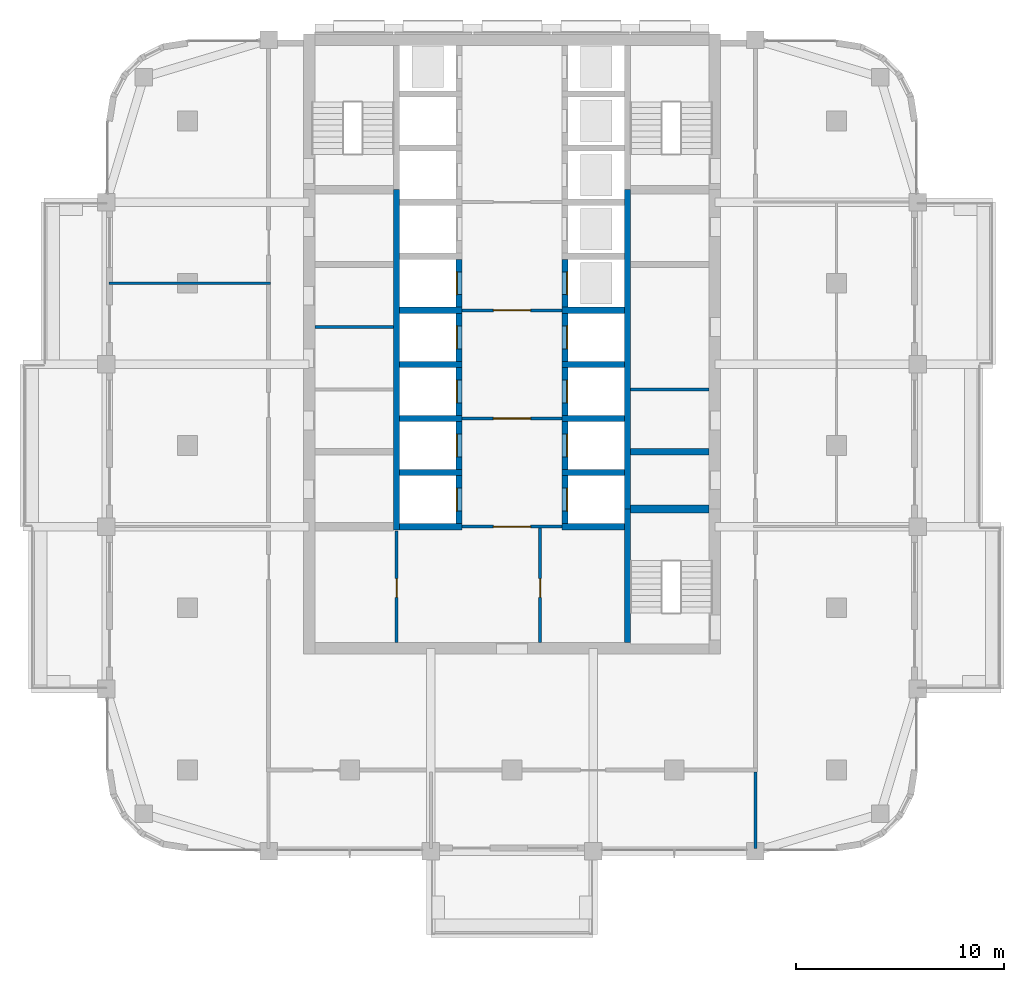
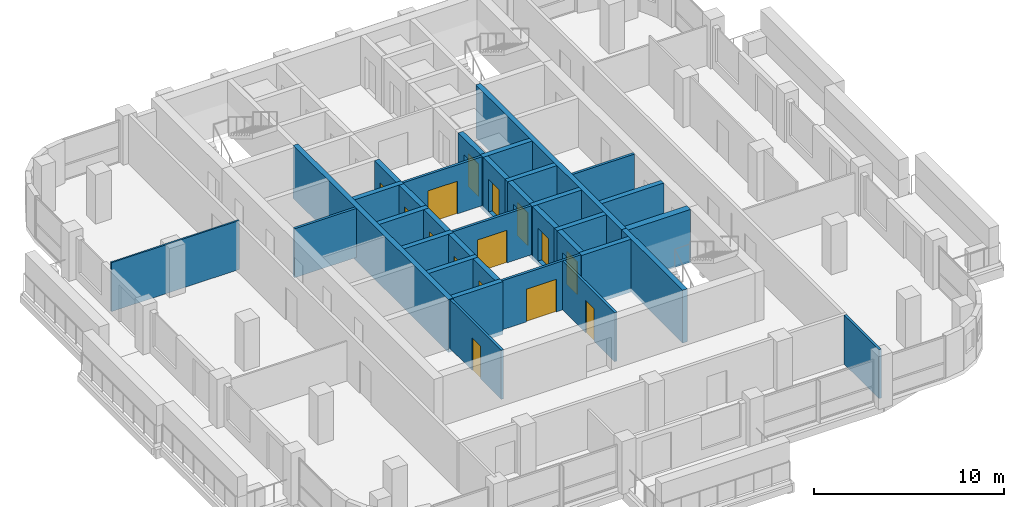
# One storey, part 11 of 19: 34 walls, 15 doors, 15 openings.
"""IFC4 building model written with IfcOpenShell, lengths in metres."""

from ifc_helpers import new_model, si_unit, direction, frame, frame_2d, origin, place, context, subcontext, project, spatial, rectangle, extrude, material, layer, layer_set, type_object, element, fill, save


model = new_model("IFC4")

# Units and contexts
model_context = context("Model", 3, precision=1e-05, world=origin(), true_north=direction((0.0, 1.0)))
body_context = subcontext(model_context, "Body", "Model", "MODEL_VIEW")
ifc_project = project(units=[si_unit("LENGTHUNIT", "METRE"), si_unit("AREAUNIT", "SQUARE_METRE"), si_unit("VOLUMEUNIT", "CUBIC_METRE"), si_unit("PLANEANGLEUNIT", "RADIAN"), si_unit("MASSUNIT", "GRAM", prefix="KILO")], contexts=[model_context])

# Site, building, storey
site_placement = place(None, origin())
site = spatial("IfcSite", under=ifc_project, at=site_placement, CompositionType="ELEMENT")
building_placement = place(site_placement, origin())
building = spatial("IfcBuilding", under=site, at=building_placement, Name="Ludao Terraces", CompositionType="ELEMENT")
storey_placement = place(building_placement, frame((0.0, 0.0, 133.89990234375)))
storey = spatial("IfcBuildingStorey", under=building, at=storey_placement, Name="L36", CompositionType="ELEMENT", Elevation=133.89990234375)

# Wall, opening, door
ifc_material_1 = material(Name="Fire-rated gypsum plasterboard", Category="gypsum")
ifc_layer_1 = layer(ifc_material_1, 0.012451171875, Category="gypsum")
ifc_material_2 = material(Name="Mineral wool")
ifc_layer_2 = layer(ifc_material_2, 0.10009765625, Name="insulation")
ifc_material_3 = material(Name="Steel Q235", Category="steel")
ifc_layer_3 = layer(ifc_material_3, 0.02490234375, Name="stud")
ifc_layer_4 = layer(ifc_material_1, 0.012451171875, Category="gypsum")
ifc_layer_set_1 = layer_set([ifc_layer_1, ifc_layer_2, ifc_layer_3, ifc_layer_4], Name="INT Core partition 150")
wall_type_1 = type_object("IfcWallType", Name="INT Core partition 150", PredefinedType="PARTITIONING", material=ifc_layer_set_1)
wall_1_placement = place(storey_placement, frame((82.60009765625, 61.10009765625, 0.0), z_axis=(0.0, 0.0, 1.0), x_axis=(1.0, 0.0, 0.0)))
wall_1 = element("IfcWall", 1, at=wall_1_placement, inside=storey, type_object=wall_type_1, Name="PW-L36-PW002", PredefinedType="PARTITIONING", context=body_context, shape_type="SweptSolid", body=[
    extrude(rectangle(XDim=4.800048828125, YDim=0.14990234375, at=frame_2d((2.39990234375, 0.0))), origin(), (0.0, 0.0, 1.0), 3.150146484375),
])
opening_1_placement = place(wall_1_placement, frame((1.5, 0.0, 0.0)))
opening_1 = element("IfcOpeningElement", 2, at=opening_1_placement, cuts=wall_1, Name="Opening C2-009", PredefinedType="OPENING", context=body_context, shape_type="SweptSolid", body=[
    extrude(rectangle(XDim=1.800048828125, YDim=2.10009765625, at=frame_2d((0.89990234375, 1.050048828125))), frame((0.0, 0.0849609375, 0.0), z_axis=(0.0, -1.0, 0.0), x_axis=(1.0, 0.0, 0.0)), (0.0, 0.0, 1.0), 0.169921875),
])
door_type_1 = type_object("IfcDoorType", Name="INT Fire lobby door 1800", OperationType="DOUBLE_DOOR_SINGLE_SWING", PredefinedType="DOOR", material=ifc_material_3)
door_1_placement = place(opening_1_placement, origin())
door_1 = element("IfcDoor", 3, at=door_1_placement, inside=storey, type_object=door_type_1, Name="DOOR 009", OperationType="DOUBLE_DOOR_SINGLE_SWING", OverallHeight=2.10009765625, OverallWidth=1.800048828125, PredefinedType="DOOR", context=body_context, shape_type="SweptSolid", body=[
    extrude(rectangle(XDim=1.800048828125, YDim=2.10009765625, at=frame_2d((0.89990234375, 1.050048828125))), frame((0.0, 0.02490234375, 0.0), z_axis=(0.0, -1.0, 0.0), x_axis=(1.0, 0.0, 0.0)), (0.0, 0.0, 1.0), 0.050048828125),
])
fill(opening_1, door_1)

wall_2_placement = place(storey_placement, frame((82.60009765625, 66.300048828125, 0.0), z_axis=(0.0, 0.0, 1.0), x_axis=(1.0, 0.0, 0.0)))
wall_2 = element("IfcWall", 4, at=wall_2_placement, inside=storey, type_object=wall_type_1, Name="PW-L36-PW004", PredefinedType="PARTITIONING", context=body_context, shape_type="SweptSolid", body=[
    extrude(rectangle(XDim=4.800048828125, YDim=0.14990234375, at=frame_2d((2.39990234375, 0.0))), origin(), (0.0, 0.0, 1.0), 3.150146484375),
])
opening_2_placement = place(wall_2_placement, frame((1.5, 0.0, 0.0)))
opening_2 = element("IfcOpeningElement", 5, at=opening_2_placement, cuts=wall_2, Name="Opening C2-019", PredefinedType="OPENING", context=body_context, shape_type="SweptSolid", body=[
    extrude(rectangle(XDim=1.800048828125, YDim=2.10009765625, at=frame_2d((0.89990234375, 1.050048828125))), frame((0.0, 0.0849609375, 0.0), z_axis=(0.0, -1.0, 0.0), x_axis=(1.0, 0.0, 0.0)), (0.0, 0.0, 1.0), 0.169921875),
])
door_2_placement = place(opening_2_placement, origin())
door_2 = element("IfcDoor", 6, at=door_2_placement, inside=storey, type_object=door_type_1, Name="DOOR 019", OperationType="DOUBLE_DOOR_SINGLE_SWING", OverallHeight=2.10009765625, OverallWidth=1.800048828125, PredefinedType="DOOR", context=body_context, shape_type="SweptSolid", body=[
    extrude(rectangle(XDim=1.800048828125, YDim=2.10009765625, at=frame_2d((0.89990234375, 1.050048828125))), frame((0.0, 0.02490234375, 0.0), z_axis=(0.0, -1.0, 0.0), x_axis=(1.0, 0.0, 0.0)), (0.0, 0.0, 1.0), 0.050048828125),
])
fill(opening_2, door_2)

# Walls
for number, where, z_axis, x_axis, name in (
    (7, (90.7001953125, 67.699951171875, 0.0), (0.0, 0.0, 1.0), (1.0, 0.0, 0.0), "PW-L36-PW006"),
    (8, (75.525146484375, 70.699951171875, 0.0), (0.0, 0.0, 1.0), (1.0, 0.0, 0.0), "PW-L36-PW007"),
):
    element("IfcWall", number, at=place(storey_placement, frame(where, z_axis=z_axis, x_axis=x_axis)), inside=storey, type_object=wall_type_1, Name=name, PredefinedType="PARTITIONING", context=body_context, shape_type="SweptSolid", body=[
        extrude(rectangle(XDim=3.77490234375, YDim=0.14990234375, at=frame_2d((1.887451171875, 0.0))), origin(), (0.0, 0.0, 1.0), 3.150146484375),
    ])

# Wall, opening, door
wall_3_placement = place(storey_placement, frame((82.60009765625, 71.5, 0.0), z_axis=(0.0, 0.0, 1.0), x_axis=(1.0, 0.0, 0.0)))
wall_3 = element("IfcWall", 9, at=wall_3_placement, inside=storey, type_object=wall_type_1, Name="PW-L36-PW008", PredefinedType="PARTITIONING", context=body_context, shape_type="SweptSolid", body=[
    extrude(rectangle(XDim=4.800048828125, YDim=0.14990234375, at=frame_2d((2.39990234375, 0.0))), origin(), (0.0, 0.0, 1.0), 3.150146484375),
])
opening_3_placement = place(wall_3_placement, frame((1.5, 0.0, 0.0)))
opening_3 = element("IfcOpeningElement", 10, at=opening_3_placement, cuts=wall_3, Name="Opening C2-028", PredefinedType="OPENING", context=body_context, shape_type="SweptSolid", body=[
    extrude(rectangle(XDim=1.800048828125, YDim=2.10009765625, at=frame_2d((0.89990234375, 1.050048828125))), frame((0.0, 0.0849609375, 0.0), z_axis=(0.0, -1.0, 0.0), x_axis=(1.0, 0.0, 0.0)), (0.0, 0.0, 1.0), 0.169921875),
])
door_3_placement = place(opening_3_placement, origin())
door_3 = element("IfcDoor", 11, at=door_3_placement, inside=storey, type_object=door_type_1, Name="DOOR 028", OperationType="DOUBLE_DOOR_SINGLE_SWING", OverallHeight=2.10009765625, OverallWidth=1.800048828125, PredefinedType="DOOR", context=body_context, shape_type="SweptSolid", body=[
    extrude(rectangle(XDim=1.800048828125, YDim=2.10009765625, at=frame_2d((0.89990234375, 1.050048828125))), frame((0.0, 0.02490234375, 0.0), z_axis=(0.0, -1.0, 0.0), x_axis=(1.0, 0.0, 0.0)), (0.0, 0.0, 1.0), 0.050048828125),
])
fill(opening_3, door_3)

wall_4_placement = place(storey_placement, frame((79.449951171875, 55.525146484375, 0.0), z_axis=(0.0, 0.0, 1.0), x_axis=(0.0, 1.0, 0.0)))
wall_4 = element("IfcWall", 12, at=wall_4_placement, inside=storey, type_object=wall_type_1, Name="PW-L36-PW014", PredefinedType="PARTITIONING", context=body_context, shape_type="SweptSolid", body=[
    extrude(rectangle(XDim=5.375, YDim=0.14990234375, at=frame_2d((2.6875, 0.0))), origin(), (0.0, 0.0, 1.0), 3.150146484375),
])
opening_4_placement = place(wall_4_placement, frame((2.175048828125, 0.0, 0.0)))
opening_4 = element("IfcOpeningElement", 13, at=opening_4_placement, cuts=wall_4, Name="Opening C2-005", PredefinedType="OPENING", context=body_context, shape_type="SweptSolid", body=[
    extrude(rectangle(XDim=0.89990234375, YDim=2.10009765625, at=frame_2d((0.449951171875, 1.050048828125))), frame((0.0, 0.0849609375, 0.0), z_axis=(0.0, -1.0, 0.0), x_axis=(1.0, 0.0, 0.0)), (0.0, 0.0, 1.0), 0.169921875),
])
ifc_material_4 = material(Name="Timber door leaf", Category="wood")
door_type_2 = type_object("IfcDoorType", Name="INT Room door 900", OperationType="SINGLE_SWING_LEFT", PredefinedType="DOOR", material=ifc_material_4)
door_4_placement = place(opening_4_placement, origin())
door_4 = element("IfcDoor", 14, at=door_4_placement, inside=storey, type_object=door_type_2, Name="DOOR 005", OperationType="SINGLE_SWING_LEFT", OverallHeight=2.10009765625, OverallWidth=0.89990234375, PredefinedType="DOOR", context=body_context, shape_type="SweptSolid", body=[
    extrude(rectangle(XDim=0.89990234375, YDim=2.10009765625, at=frame_2d((0.449951171875, 1.050048828125))), frame((0.0, 0.02490234375, 0.0), z_axis=(0.0, -1.0, 0.0), x_axis=(1.0, 0.0, 0.0)), (0.0, 0.0, 1.0), 0.050048828125),
])
fill(opening_4, door_4)

wall_5_placement = place(storey_placement, frame((86.35009765625, 55.525146484375, 0.0), z_axis=(0.0, 0.0, 1.0), x_axis=(0.0, 1.0, 0.0)))
wall_5 = element("IfcWall", 15, at=wall_5_placement, inside=storey, type_object=wall_type_1, Name="PW-L36-PW016", PredefinedType="PARTITIONING", context=body_context, shape_type="SweptSolid", body=[
    extrude(rectangle(XDim=5.5, YDim=0.14990234375, at=frame_2d((2.75, 0.0))), origin(), (0.0, 0.0, 1.0), 3.150146484375),
])
opening_5_placement = place(wall_5_placement, frame((2.175048828125, 0.0, 0.0)))
opening_5 = element("IfcOpeningElement", 16, at=opening_5_placement, cuts=wall_5, Name="Opening C2-006", PredefinedType="OPENING", context=body_context, shape_type="SweptSolid", body=[
    extrude(rectangle(XDim=0.89990234375, YDim=2.10009765625, at=frame_2d((0.449951171875, 1.050048828125))), frame((0.0, 0.0849609375, 0.0), z_axis=(0.0, -1.0, 0.0), x_axis=(1.0, 0.0, 0.0)), (0.0, 0.0, 1.0), 0.169921875),
])
door_5_placement = place(opening_5_placement, origin())
door_5 = element("IfcDoor", 17, at=door_5_placement, inside=storey, type_object=door_type_2, Name="DOOR 006", OperationType="SINGLE_SWING_RIGHT", OverallHeight=2.10009765625, OverallWidth=0.89990234375, PredefinedType="DOOR", context=body_context, shape_type="SweptSolid", body=[
    extrude(rectangle(XDim=0.89990234375, YDim=2.10009765625, at=frame_2d((0.449951171875, 1.050048828125))), frame((0.0, 0.02490234375, 0.0), z_axis=(0.0, -1.0, 0.0), x_axis=(1.0, 0.0, 0.0)), (0.0, 0.0, 1.0), 0.050048828125),
])
fill(opening_5, door_5)

# Walls
ifc_material_5 = material(Name="Gypsum plasterboard", Category="gypsum")
ifc_layer_5 = layer(ifc_material_5, 0.012451171875, Category="gypsum")
ifc_layer_6 = layer(ifc_material_2, 0.06005859375, Name="insulation")
ifc_layer_7 = layer(ifc_material_3, 0.014892578125, Name="stud")
ifc_layer_8 = layer(ifc_material_5, 0.012451171875, Category="gypsum")
ifc_layer_set_2 = layer_set([ifc_layer_5, ifc_layer_6, ifc_layer_7, ifc_layer_8], Name="INT Partition 100")
wall_type_2 = type_object("IfcWallType", Name="INT Partition 100", PredefinedType="PARTITIONING", material=ifc_layer_set_2)
wall_6_placement = place(storey_placement, frame((65.635009765625, 72.800048828125, 0.0), z_axis=(0.0, 0.0, 1.0), x_axis=(1.0, 0.0, 0.0)))
element("IfcWall", 18, at=wall_6_placement, inside=storey, type_object=wall_type_2, Name="PW-L36-PW009", PredefinedType="PARTITIONING", context=body_context, shape_type="SweptSolid", body=[
    extrude(rectangle(XDim=7.76513671875, YDim=0.10009765625, at=frame_2d((3.882568359375, 0.0))), origin(), (0.0, 0.0, 1.0), 3.150146484375),
])
ifc_material_6 = material(Name="Autoclaved aerated concrete block B06 A3.5", Category="concrete")
ifc_layer_9 = layer(ifc_material_6, 0.14990234375)
ifc_layer_set_3 = layer_set([ifc_layer_9], Name="INT Party wall 150")
wall_type_3 = type_object("IfcWallType", Name="INT Party wall 150", PredefinedType="PARTITIONING", material=ifc_layer_set_3)
wall_7_placement = place(storey_placement, frame((96.699951171875, 45.635009765625, 0.0), z_axis=(0.0, 0.0, 1.0), x_axis=(0.0, 1.0, 0.0)))
element("IfcWall", 19, at=wall_7_placement, inside=storey, type_object=wall_type_3, Name="PW-L36-PW017", PredefinedType="PARTITIONING", context=body_context, shape_type="SweptSolid", body=[
    extrude(rectangle(XDim=3.6650390625, YDim=0.14990234375, at=frame_2d((1.83251953125, 0.0))), origin(), (0.0, 0.0, 1.0), 3.150146484375),
])
ifc_material_7 = material(Name="Concrete C55", Category="concrete")
ifc_layer_10 = layer(ifc_material_7, 0.300048828125)
ifc_layer_set_4 = layer_set([ifc_layer_10], Name="Shaft wall 300 C55")
wall_type_4 = type_object("IfcWallType", Name="Shaft wall 300 C55", PredefinedType="SOLIDWALL", material=ifc_layer_set_4)
wall_8_placement = place(storey_placement, frame((79.449951171875, 60.949951171875, -0.25), z_axis=(0.0, 0.0, 1.0), x_axis=(0.0, 1.0, 0.0)))
element("IfcWall", 20, at=wall_8_placement, inside=storey, type_object=wall_type_4, Name="Core wall L36 back-W", PredefinedType="SOLIDWALL", context=body_context, shape_type="SweptSolid", body=[
    extrude(rectangle(XDim=16.35009765625, YDim=0.300048828125, at=frame_2d((8.175048828125, 0.0))), origin(), (0.0, 0.0, 1.0), 3.400146484375),
])
wall_9_placement = place(storey_placement, frame((90.550048828125, 55.52490234375, -0.25), z_axis=(0.0, 0.0, 1.0), x_axis=(0.0, 1.0, 0.0)))
element("IfcWall", 21, at=wall_9_placement, inside=storey, type_object=wall_type_4, Name="Core wall L36 back-E-S3", PredefinedType="SOLIDWALL", context=body_context, shape_type="SweptSolid", body=[
    extrude(rectangle(XDim=6.425048828125, YDim=0.300048828125, at=frame_2d((3.21240234375, 0.0))), origin(), (0.0, 0.0, 1.0), 3.400146484375),
])
wall_10_placement = place(storey_placement, frame((90.550048828125, 61.949951171875, -0.25), z_axis=(0.0, 0.0, 1.0), x_axis=(0.0, 1.0, 0.0)))
element("IfcWall", 22, at=wall_10_placement, inside=storey, type_object=wall_type_4, Name="Core wall L36 back-E", PredefinedType="SOLIDWALL", context=body_context, shape_type="SweptSolid", body=[
    extrude(rectangle(XDim=15.35009765625, YDim=0.300048828125, at=frame_2d((7.675048828125, 0.0))), origin(), (0.0, 0.0, 1.0), 3.400146484375),
])
wall_11_placement = place(storey_placement, frame((79.60009765625, 61.10009765625, -0.25), z_axis=(0.0, 0.0, 1.0), x_axis=(1.0, 0.0, 0.0)))
element("IfcWall", 23, at=wall_11_placement, inside=storey, type_object=wall_type_4, Name="Core wall L36 div-W1", PredefinedType="SOLIDWALL", context=body_context, shape_type="SweptSolid", body=[
    extrude(rectangle(XDim=3.0, YDim=0.300048828125, at=frame_2d((1.5, 0.0))), origin(), (0.0, 0.0, 1.0), 3.400146484375),
])

# Wall, opening, door
wall_12_placement = place(storey_placement, frame((82.449951171875, 61.25, -0.25), z_axis=(0.0, 0.0, 1.0), x_axis=(0.0, 1.0, 0.0)))
wall_12 = element("IfcWall", 24, at=wall_12_placement, inside=storey, type_object=wall_type_4, Name="Core wall L36 front-W1", PredefinedType="SOLIDWALL", context=body_context, shape_type="SweptSolid", body=[
    extrude(rectangle(XDim=2.300048828125, YDim=0.300048828125, at=frame_2d((1.14990234375, 0.0))), origin(), (0.0, 0.0, 1.0), 3.400146484375),
])
opening_6_placement = place(wall_12_placement, frame((0.60009765625, 0.0, 0.25)))
opening_6 = element("IfcOpeningElement", 25, at=opening_6_placement, cuts=wall_12, Name="Opening LD-LA1", PredefinedType="OPENING", context=body_context, shape_type="SweptSolid", body=[
    extrude(rectangle(XDim=1.10009765625, YDim=2.10009765625, at=frame_2d((0.550048828125, 1.050048828125))), frame((0.0, 0.16015625, 0.0), z_axis=(0.0, -1.0, 0.0), x_axis=(1.0, 0.0, 0.0)), (0.0, 0.0, 1.0), 0.320068359375),
])
ifc_material_8 = material(Name="Stainless steel 304", Category="steel")
door_type_3 = type_object("IfcDoorType", Name="INT Lift landing door 1100", OperationType="SLIDING_TO_LEFT", PredefinedType="DOOR", material=ifc_material_8)
door_6_placement = place(opening_6_placement, origin())
door_6 = element("IfcDoor", 26, at=door_6_placement, inside=storey, type_object=door_type_3, Name="LANDING DOOR LA1 L36", OperationType="SLIDING_TO_RIGHT", OverallHeight=2.10009765625, OverallWidth=1.10009765625, PredefinedType="DOOR", context=body_context, shape_type="SweptSolid", body=[
    extrude(rectangle(XDim=1.10009765625, YDim=2.10009765625, at=frame_2d((0.550048828125, 1.050048828125))), frame((0.0, 0.13525390625, 0.0), z_axis=(0.0, -1.0, 0.0), x_axis=(1.0, 0.0, 0.0)), (0.0, 0.0, 1.0), 0.050048828125),
])
fill(opening_6, door_6)

# Wall
wall_13_placement = place(storey_placement, frame((79.60009765625, 63.699951171875, -0.25), z_axis=(0.0, 0.0, 1.0), x_axis=(1.0, 0.0, 0.0)))
element("IfcWall", 27, at=wall_13_placement, inside=storey, type_object=wall_type_4, Name="Core wall L36 div-W2", PredefinedType="SOLIDWALL", context=body_context, shape_type="SweptSolid", body=[
    extrude(rectangle(XDim=3.0, YDim=0.300048828125, at=frame_2d((1.5, 0.0))), origin(), (0.0, 0.0, 1.0), 3.400146484375),
])

# Wall, opening, door
wall_14_placement = place(storey_placement, frame((82.449951171875, 63.85009765625, -0.25), z_axis=(0.0, 0.0, 1.0), x_axis=(0.0, 1.0, 0.0)))
wall_14 = element("IfcWall", 28, at=wall_14_placement, inside=storey, type_object=wall_type_4, Name="Core wall L36 front-W2", PredefinedType="SOLIDWALL", context=body_context, shape_type="SweptSolid", body=[
    extrude(rectangle(XDim=2.2998046875, YDim=0.300048828125, at=frame_2d((1.14990234375, 0.0))), origin(), (0.0, 0.0, 1.0), 3.400146484375),
])
opening_7_placement = place(wall_14_placement, frame((0.60009765625, 0.0, 0.25)))
opening_7 = element("IfcOpeningElement", 29, at=opening_7_placement, cuts=wall_14, Name="Opening LD-LA2", PredefinedType="OPENING", context=body_context, shape_type="SweptSolid", body=[
    extrude(rectangle(XDim=1.10009765625, YDim=2.10009765625, at=frame_2d((0.550048828125, 1.050048828125))), frame((0.0, 0.16015625, 0.0), z_axis=(0.0, -1.0, 0.0), x_axis=(1.0, 0.0, 0.0)), (0.0, 0.0, 1.0), 0.320068359375),
])
door_7_placement = place(opening_7_placement, origin())
door_7 = element("IfcDoor", 30, at=door_7_placement, inside=storey, type_object=door_type_3, Name="LANDING DOOR LA2 L36", OperationType="SLIDING_TO_RIGHT", OverallHeight=2.10009765625, OverallWidth=1.10009765625, PredefinedType="DOOR", context=body_context, shape_type="SweptSolid", body=[
    extrude(rectangle(XDim=1.10009765625, YDim=2.10009765625, at=frame_2d((0.550048828125, 1.050048828125))), frame((0.0, 0.13525390625, 0.0), z_axis=(0.0, -1.0, 0.0), x_axis=(1.0, 0.0, 0.0)), (0.0, 0.0, 1.0), 0.050048828125),
])
fill(opening_7, door_7)

# Wall
wall_15_placement = place(storey_placement, frame((79.60009765625, 66.300048828125, -0.25), z_axis=(0.0, 0.0, 1.0), x_axis=(1.0, 0.0, 0.0)))
element("IfcWall", 31, at=wall_15_placement, inside=storey, type_object=wall_type_4, Name="Core wall L36 div-W3", PredefinedType="SOLIDWALL", context=body_context, shape_type="SweptSolid", body=[
    extrude(rectangle(XDim=3.0, YDim=0.300048828125, at=frame_2d((1.5, 0.0))), origin(), (0.0, 0.0, 1.0), 3.400146484375),
])

# Wall, opening, door
wall_16_placement = place(storey_placement, frame((82.449951171875, 66.449951171875, -0.25), z_axis=(0.0, 0.0, 1.0), x_axis=(0.0, 1.0, 0.0)))
wall_16 = element("IfcWall", 32, at=wall_16_placement, inside=storey, type_object=wall_type_4, Name="Core wall L36 front-W3", PredefinedType="SOLIDWALL", context=body_context, shape_type="SweptSolid", body=[
    extrude(rectangle(XDim=2.300048828125, YDim=0.300048828125, at=frame_2d((1.14990234375, 0.0))), origin(), (0.0, 0.0, 1.0), 3.400146484375),
])
opening_8_placement = place(wall_16_placement, frame((0.60009765625, 0.0, 0.25)))
opening_8 = element("IfcOpeningElement", 33, at=opening_8_placement, cuts=wall_16, Name="Opening LD-LA3", PredefinedType="OPENING", context=body_context, shape_type="SweptSolid", body=[
    extrude(rectangle(XDim=1.10009765625, YDim=2.10009765625, at=frame_2d((0.550048828125, 1.050048828125))), frame((0.0, 0.16015625, 0.0), z_axis=(0.0, -1.0, 0.0), x_axis=(1.0, 0.0, 0.0)), (0.0, 0.0, 1.0), 0.320068359375),
])
door_8_placement = place(opening_8_placement, origin())
door_8 = element("IfcDoor", 34, at=door_8_placement, inside=storey, type_object=door_type_3, Name="LANDING DOOR LA3 L36", OperationType="SLIDING_TO_RIGHT", OverallHeight=2.10009765625, OverallWidth=1.10009765625, PredefinedType="DOOR", context=body_context, shape_type="SweptSolid", body=[
    extrude(rectangle(XDim=1.10009765625, YDim=2.10009765625, at=frame_2d((0.550048828125, 1.050048828125))), frame((0.0, 0.13525390625, 0.0), z_axis=(0.0, -1.0, 0.0), x_axis=(1.0, 0.0, 0.0)), (0.0, 0.0, 1.0), 0.050048828125),
])
fill(opening_8, door_8)

# Wall
wall_17_placement = place(storey_placement, frame((79.60009765625, 68.89990234375, -0.25), z_axis=(0.0, 0.0, 1.0), x_axis=(1.0, 0.0, 0.0)))
element("IfcWall", 35, at=wall_17_placement, inside=storey, type_object=wall_type_4, Name="Core wall L36 div-W4", PredefinedType="SOLIDWALL", context=body_context, shape_type="SweptSolid", body=[
    extrude(rectangle(XDim=3.0, YDim=0.300048828125, at=frame_2d((1.5, 0.0))), origin(), (0.0, 0.0, 1.0), 3.400146484375),
])

# Wall, opening, door
wall_18_placement = place(storey_placement, frame((82.449951171875, 69.050048828125, -0.25), z_axis=(0.0, 0.0, 1.0), x_axis=(0.0, 1.0, 0.0)))
wall_18 = element("IfcWall", 36, at=wall_18_placement, inside=storey, type_object=wall_type_4, Name="Core wall L36 front-W4", PredefinedType="SOLIDWALL", context=body_context, shape_type="SweptSolid", body=[
    extrude(rectangle(XDim=2.300048828125, YDim=0.300048828125, at=frame_2d((1.14990234375, 0.0))), origin(), (0.0, 0.0, 1.0), 3.400146484375),
])
opening_9_placement = place(wall_18_placement, frame((0.60009765625, 0.0, 0.25)))
opening_9 = element("IfcOpeningElement", 37, at=opening_9_placement, cuts=wall_18, Name="Opening LD-LA4", PredefinedType="OPENING", context=body_context, shape_type="SweptSolid", body=[
    extrude(rectangle(XDim=1.10009765625, YDim=2.10009765625, at=frame_2d((0.550048828125, 1.050048828125))), frame((0.0, 0.16015625, 0.0), z_axis=(0.0, -1.0, 0.0), x_axis=(1.0, 0.0, 0.0)), (0.0, 0.0, 1.0), 0.320068359375),
])
door_9_placement = place(opening_9_placement, origin())
door_9 = element("IfcDoor", 38, at=door_9_placement, inside=storey, type_object=door_type_3, Name="LANDING DOOR LA4 L36", OperationType="SLIDING_TO_LEFT", OverallHeight=2.10009765625, OverallWidth=1.10009765625, PredefinedType="DOOR", context=body_context, shape_type="SweptSolid", body=[
    extrude(rectangle(XDim=1.10009765625, YDim=2.10009765625, at=frame_2d((0.550048828125, 1.050048828125))), frame((0.0, 0.13525390625, 0.0), z_axis=(0.0, -1.0, 0.0), x_axis=(1.0, 0.0, 0.0)), (0.0, 0.0, 1.0), 0.050048828125),
])
fill(opening_9, door_9)

# Wall
wall_19_placement = place(storey_placement, frame((79.60009765625, 71.5, -0.25), z_axis=(0.0, 0.0, 1.0), x_axis=(1.0, 0.0, 0.0)))
element("IfcWall", 39, at=wall_19_placement, inside=storey, type_object=wall_type_4, Name="Core wall L36 div-W5", PredefinedType="SOLIDWALL", context=body_context, shape_type="SweptSolid", body=[
    extrude(rectangle(XDim=3.0, YDim=0.300048828125, at=frame_2d((1.5, 0.0))), origin(), (0.0, 0.0, 1.0), 3.400146484375),
])

# Wall, opening, door
wall_20_placement = place(storey_placement, frame((82.449951171875, 71.64990234375, -0.25), z_axis=(0.0, 0.0, 1.0), x_axis=(0.0, 1.0, 0.0)))
wall_20 = element("IfcWall", 40, at=wall_20_placement, inside=storey, type_object=wall_type_4, Name="Core wall L36 front-W5", PredefinedType="SOLIDWALL", context=body_context, shape_type="SweptSolid", body=[
    extrude(rectangle(XDim=2.300048828125, YDim=0.300048828125, at=frame_2d((1.14990234375, 0.0))), origin(), (0.0, 0.0, 1.0), 3.400146484375),
])
opening_10_placement = place(wall_20_placement, frame((0.60009765625, 0.0, 0.25)))
opening_10 = element("IfcOpeningElement", 41, at=opening_10_placement, cuts=wall_20, Name="Opening LD-LA5", PredefinedType="OPENING", context=body_context, shape_type="SweptSolid", body=[
    extrude(rectangle(XDim=1.10009765625, YDim=2.10009765625, at=frame_2d((0.550048828125, 1.050048828125))), frame((0.0, 0.16015625, 0.0), z_axis=(0.0, -1.0, 0.0), x_axis=(1.0, 0.0, 0.0)), (0.0, 0.0, 1.0), 0.320068359375),
])
door_10_placement = place(opening_10_placement, origin())
door_10 = element("IfcDoor", 42, at=door_10_placement, inside=storey, type_object=door_type_3, Name="LANDING DOOR LA5 L36", OperationType="SLIDING_TO_LEFT", OverallHeight=2.10009765625, OverallWidth=1.10009765625, PredefinedType="DOOR", context=body_context, shape_type="SweptSolid", body=[
    extrude(rectangle(XDim=1.10009765625, YDim=2.10009765625, at=frame_2d((0.550048828125, 1.050048828125))), frame((0.0, 0.13525390625, 0.0), z_axis=(0.0, -1.0, 0.0), x_axis=(1.0, 0.0, 0.0)), (0.0, 0.0, 1.0), 0.050048828125),
])
fill(opening_10, door_10)

# Wall
wall_21_placement = place(storey_placement, frame((87.39990234375, 61.10009765625, -0.25), z_axis=(0.0, 0.0, 1.0), x_axis=(1.0, 0.0, 0.0)))
element("IfcWall", 43, at=wall_21_placement, inside=storey, type_object=wall_type_4, Name="Core wall L36 div-E1", PredefinedType="SOLIDWALL", context=body_context, shape_type="SweptSolid", body=[
    extrude(rectangle(XDim=3.0, YDim=0.300048828125, at=frame_2d((1.5, 0.0))), origin(), (0.0, 0.0, 1.0), 3.400146484375),
])

# Wall, opening, door
wall_22_placement = place(storey_placement, frame((87.550048828125, 61.25, -0.25), z_axis=(0.0, 0.0, 1.0), x_axis=(0.0, 1.0, 0.0)))
wall_22 = element("IfcWall", 44, at=wall_22_placement, inside=storey, type_object=wall_type_4, Name="Core wall L36 front-E1", PredefinedType="SOLIDWALL", context=body_context, shape_type="SweptSolid", body=[
    extrude(rectangle(XDim=2.300048828125, YDim=0.300048828125, at=frame_2d((1.14990234375, 0.0))), origin(), (0.0, 0.0, 1.0), 3.400146484375),
])
opening_11_placement = place(wall_22_placement, frame((0.60009765625, 0.0, 0.25)))
opening_11 = element("IfcOpeningElement", 45, at=opening_11_placement, cuts=wall_22, Name="Opening LD-SH1", PredefinedType="OPENING", context=body_context, shape_type="SweptSolid", body=[
    extrude(rectangle(XDim=1.10009765625, YDim=2.10009765625, at=frame_2d((0.550048828125, 1.050048828125))), frame((0.0, 0.16015625, 0.0), z_axis=(0.0, -1.0, 0.0), x_axis=(1.0, 0.0, 0.0)), (0.0, 0.0, 1.0), 0.320068359375),
])
door_11_placement = place(opening_11_placement, origin())
door_11 = element("IfcDoor", 46, at=door_11_placement, inside=storey, type_object=door_type_3, Name="LANDING DOOR SH1 L36", OperationType="SLIDING_TO_RIGHT", OverallHeight=2.10009765625, OverallWidth=1.10009765625, PredefinedType="DOOR", context=body_context, shape_type="SweptSolid", body=[
    extrude(rectangle(XDim=1.10009765625, YDim=2.10009765625, at=frame_2d((0.550048828125, 1.050048828125))), frame((0.0, -0.0849609375, 0.0), z_axis=(0.0, -1.0, 0.0), x_axis=(1.0, 0.0, 0.0)), (0.0, 0.0, 1.0), 0.050048828125),
])
fill(opening_11, door_11)

# Wall
wall_23_placement = place(storey_placement, frame((87.39990234375, 63.699951171875, -0.25), z_axis=(0.0, 0.0, 1.0), x_axis=(1.0, 0.0, 0.0)))
element("IfcWall", 47, at=wall_23_placement, inside=storey, type_object=wall_type_4, Name="Core wall L36 div-E2", PredefinedType="SOLIDWALL", context=body_context, shape_type="SweptSolid", body=[
    extrude(rectangle(XDim=3.0, YDim=0.300048828125, at=frame_2d((1.5, 0.0))), origin(), (0.0, 0.0, 1.0), 3.400146484375),
])

# Wall, opening, door
wall_24_placement = place(storey_placement, frame((87.550048828125, 63.85009765625, -0.25), z_axis=(0.0, 0.0, 1.0), x_axis=(0.0, 1.0, 0.0)))
wall_24 = element("IfcWall", 48, at=wall_24_placement, inside=storey, type_object=wall_type_4, Name="Core wall L36 front-E2", PredefinedType="SOLIDWALL", context=body_context, shape_type="SweptSolid", body=[
    extrude(rectangle(XDim=2.2998046875, YDim=0.300048828125, at=frame_2d((1.14990234375, 0.0))), origin(), (0.0, 0.0, 1.0), 3.400146484375),
])
opening_12_placement = place(wall_24_placement, frame((0.60009765625, 0.0, 0.25)))
opening_12 = element("IfcOpeningElement", 49, at=opening_12_placement, cuts=wall_24, Name="Opening LD-SH2", PredefinedType="OPENING", context=body_context, shape_type="SweptSolid", body=[
    extrude(rectangle(XDim=1.10009765625, YDim=2.10009765625, at=frame_2d((0.550048828125, 1.050048828125))), frame((0.0, 0.16015625, 0.0), z_axis=(0.0, -1.0, 0.0), x_axis=(1.0, 0.0, 0.0)), (0.0, 0.0, 1.0), 0.320068359375),
])
door_12_placement = place(opening_12_placement, origin())
door_12 = element("IfcDoor", 50, at=door_12_placement, inside=storey, type_object=door_type_3, Name="LANDING DOOR SH2 L36", OperationType="SLIDING_TO_RIGHT", OverallHeight=2.10009765625, OverallWidth=1.10009765625, PredefinedType="DOOR", context=body_context, shape_type="SweptSolid", body=[
    extrude(rectangle(XDim=1.10009765625, YDim=2.10009765625, at=frame_2d((0.550048828125, 1.050048828125))), frame((0.0, -0.0849609375, 0.0), z_axis=(0.0, -1.0, 0.0), x_axis=(1.0, 0.0, 0.0)), (0.0, 0.0, 1.0), 0.050048828125),
])
fill(opening_12, door_12)

# Wall
wall_25_placement = place(storey_placement, frame((87.39990234375, 66.300048828125, -0.25), z_axis=(0.0, 0.0, 1.0), x_axis=(1.0, 0.0, 0.0)))
element("IfcWall", 51, at=wall_25_placement, inside=storey, type_object=wall_type_4, Name="Core wall L36 div-E3", PredefinedType="SOLIDWALL", context=body_context, shape_type="SweptSolid", body=[
    extrude(rectangle(XDim=3.0, YDim=0.300048828125, at=frame_2d((1.5, 0.0))), origin(), (0.0, 0.0, 1.0), 3.400146484375),
])

# Wall, opening, door
wall_26_placement = place(storey_placement, frame((87.550048828125, 66.449951171875, -0.25), z_axis=(0.0, 0.0, 1.0), x_axis=(0.0, 1.0, 0.0)))
wall_26 = element("IfcWall", 52, at=wall_26_placement, inside=storey, type_object=wall_type_4, Name="Core wall L36 front-E3", PredefinedType="SOLIDWALL", context=body_context, shape_type="SweptSolid", body=[
    extrude(rectangle(XDim=2.300048828125, YDim=0.300048828125, at=frame_2d((1.14990234375, 0.0))), origin(), (0.0, 0.0, 1.0), 3.400146484375),
])
opening_13_placement = place(wall_26_placement, frame((0.60009765625, 0.0, 0.25)))
opening_13 = element("IfcOpeningElement", 53, at=opening_13_placement, cuts=wall_26, Name="Opening LD-SH3", PredefinedType="OPENING", context=body_context, shape_type="SweptSolid", body=[
    extrude(rectangle(XDim=1.10009765625, YDim=2.10009765625, at=frame_2d((0.550048828125, 1.050048828125))), frame((0.0, 0.16015625, 0.0), z_axis=(0.0, -1.0, 0.0), x_axis=(1.0, 0.0, 0.0)), (0.0, 0.0, 1.0), 0.320068359375),
])
door_13_placement = place(opening_13_placement, origin())
door_13 = element("IfcDoor", 54, at=door_13_placement, inside=storey, type_object=door_type_3, Name="LANDING DOOR SH3 L36", OperationType="SLIDING_TO_RIGHT", OverallHeight=2.10009765625, OverallWidth=1.10009765625, PredefinedType="DOOR", context=body_context, shape_type="SweptSolid", body=[
    extrude(rectangle(XDim=1.10009765625, YDim=2.10009765625, at=frame_2d((0.550048828125, 1.050048828125))), frame((0.0, -0.0849609375, 0.0), z_axis=(0.0, -1.0, 0.0), x_axis=(1.0, 0.0, 0.0)), (0.0, 0.0, 1.0), 0.050048828125),
])
fill(opening_13, door_13)

# Wall
wall_27_placement = place(storey_placement, frame((87.39990234375, 68.89990234375, -0.25), z_axis=(0.0, 0.0, 1.0), x_axis=(1.0, 0.0, 0.0)))
element("IfcWall", 55, at=wall_27_placement, inside=storey, type_object=wall_type_4, Name="Core wall L36 div-E4", PredefinedType="SOLIDWALL", context=body_context, shape_type="SweptSolid", body=[
    extrude(rectangle(XDim=3.0, YDim=0.300048828125, at=frame_2d((1.5, 0.0))), origin(), (0.0, 0.0, 1.0), 3.400146484375),
])

# Wall, opening, door
wall_28_placement = place(storey_placement, frame((87.550048828125, 69.050048828125, -0.25), z_axis=(0.0, 0.0, 1.0), x_axis=(0.0, 1.0, 0.0)))
wall_28 = element("IfcWall", 56, at=wall_28_placement, inside=storey, type_object=wall_type_4, Name="Core wall L36 front-E4", PredefinedType="SOLIDWALL", context=body_context, shape_type="SweptSolid", body=[
    extrude(rectangle(XDim=2.300048828125, YDim=0.300048828125, at=frame_2d((1.14990234375, 0.0))), origin(), (0.0, 0.0, 1.0), 3.400146484375),
])
opening_14_placement = place(wall_28_placement, frame((0.60009765625, 0.0, 0.25)))
opening_14 = element("IfcOpeningElement", 57, at=opening_14_placement, cuts=wall_28, Name="Opening LD-SH4", PredefinedType="OPENING", context=body_context, shape_type="SweptSolid", body=[
    extrude(rectangle(XDim=1.10009765625, YDim=2.10009765625, at=frame_2d((0.550048828125, 1.050048828125))), frame((0.0, 0.16015625, 0.0), z_axis=(0.0, -1.0, 0.0), x_axis=(1.0, 0.0, 0.0)), (0.0, 0.0, 1.0), 0.320068359375),
])
door_14_placement = place(opening_14_placement, origin())
door_14 = element("IfcDoor", 58, at=door_14_placement, inside=storey, type_object=door_type_3, Name="LANDING DOOR SH4 L36", OperationType="SLIDING_TO_LEFT", OverallHeight=2.10009765625, OverallWidth=1.10009765625, PredefinedType="DOOR", context=body_context, shape_type="SweptSolid", body=[
    extrude(rectangle(XDim=1.10009765625, YDim=2.10009765625, at=frame_2d((0.550048828125, 1.050048828125))), frame((0.0, -0.0849609375, 0.0), z_axis=(0.0, -1.0, 0.0), x_axis=(1.0, 0.0, 0.0)), (0.0, 0.0, 1.0), 0.050048828125),
])
fill(opening_14, door_14)

# Wall
wall_29_placement = place(storey_placement, frame((87.39990234375, 71.5, -0.25), z_axis=(0.0, 0.0, 1.0), x_axis=(1.0, 0.0, 0.0)))
element("IfcWall", 59, at=wall_29_placement, inside=storey, type_object=wall_type_4, Name="Core wall L36 div-E5", PredefinedType="SOLIDWALL", context=body_context, shape_type="SweptSolid", body=[
    extrude(rectangle(XDim=3.0, YDim=0.300048828125, at=frame_2d((1.5, 0.0))), origin(), (0.0, 0.0, 1.0), 3.400146484375),
])

# Wall, opening, door
wall_30_placement = place(storey_placement, frame((87.550048828125, 71.64990234375, -0.25), z_axis=(0.0, 0.0, 1.0), x_axis=(0.0, 1.0, 0.0)))
wall_30 = element("IfcWall", 60, at=wall_30_placement, inside=storey, type_object=wall_type_4, Name="Core wall L36 front-E5", PredefinedType="SOLIDWALL", context=body_context, shape_type="SweptSolid", body=[
    extrude(rectangle(XDim=2.300048828125, YDim=0.300048828125, at=frame_2d((1.14990234375, 0.0))), origin(), (0.0, 0.0, 1.0), 3.400146484375),
])
opening_15_placement = place(wall_30_placement, frame((0.60009765625, 0.0, 0.25)))
opening_15 = element("IfcOpeningElement", 61, at=opening_15_placement, cuts=wall_30, Name="Opening LD-LB1", PredefinedType="OPENING", context=body_context, shape_type="SweptSolid", body=[
    extrude(rectangle(XDim=1.10009765625, YDim=2.10009765625, at=frame_2d((0.550048828125, 1.050048828125))), frame((0.0, 0.16015625, 0.0), z_axis=(0.0, -1.0, 0.0), x_axis=(1.0, 0.0, 0.0)), (0.0, 0.0, 1.0), 0.320068359375),
])
door_15_placement = place(opening_15_placement, origin())
door_15 = element("IfcDoor", 62, at=door_15_placement, inside=storey, type_object=door_type_3, Name="LANDING DOOR LB1 L36", OperationType="SLIDING_TO_LEFT", OverallHeight=2.10009765625, OverallWidth=1.10009765625, PredefinedType="DOOR", context=body_context, shape_type="SweptSolid", body=[
    extrude(rectangle(XDim=1.10009765625, YDim=2.10009765625, at=frame_2d((0.550048828125, 1.050048828125))), frame((0.0, -0.0849609375, 0.0), z_axis=(0.0, -1.0, 0.0), x_axis=(1.0, 0.0, 0.0)), (0.0, 0.0, 1.0), 0.050048828125),
])
fill(opening_15, door_15)

# Walls
wall_31_placement = place(storey_placement, frame((90.699951171875, 64.699951171875, -0.25), z_axis=(0.0, 0.0, 1.0), x_axis=(1.0, 0.0, 0.0)))
element("IfcWall", 63, at=wall_31_placement, inside=storey, type_object=wall_type_4, Name="Core wall L36 riser-a-E", PredefinedType="SOLIDWALL", context=body_context, shape_type="SweptSolid", body=[
    extrude(rectangle(XDim=3.775146484375, YDim=0.300048828125, at=frame_2d((1.8876953125, 0.0))), origin(), (0.0, 0.0, 1.0), 3.400146484375),
])
ifc_layer_11 = layer(ifc_material_7, 0.39990234375)
ifc_layer_set_5 = layer_set([ifc_layer_11], Name="Shaft wall 400 C55")
wall_type_5 = type_object("IfcWallType", Name="Shaft wall 400 C55", PredefinedType="SOLIDWALL", material=ifc_layer_set_5)
wall_32_placement = place(storey_placement, frame((90.699951171875, 61.949951171875, -0.25), z_axis=(0.0, 0.0, 1.0), x_axis=(1.0, 0.0, 0.0)))
element("IfcWall", 64, at=wall_32_placement, inside=storey, type_object=wall_type_5, Name="Core wall L36 hall-E", PredefinedType="SOLIDWALL", context=body_context, shape_type="SweptSolid", body=[
    extrude(rectangle(XDim=3.775146484375, YDim=0.39990234375, at=frame_2d((1.8876953125, 0.0))), origin(), (0.0, 0.0, 1.0), 3.400146484375),
])

save(model, "model.ifc")
